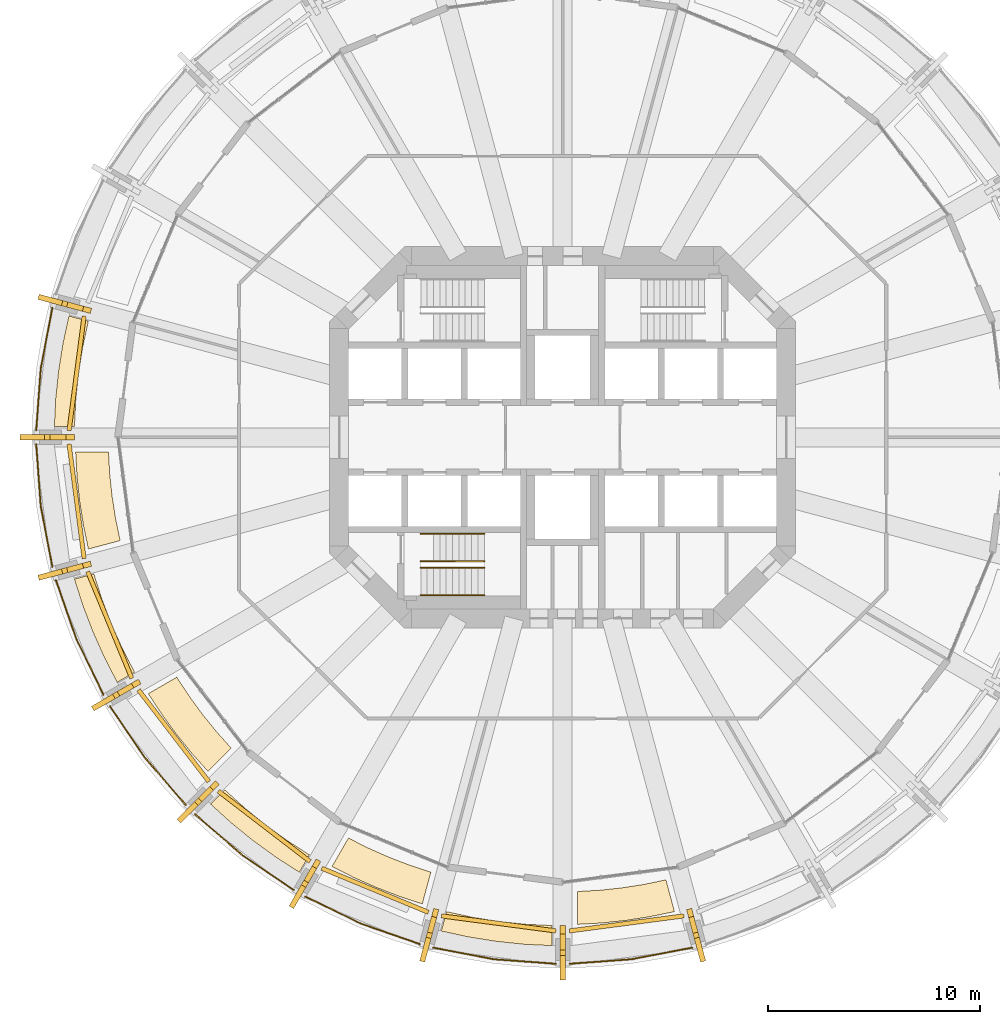
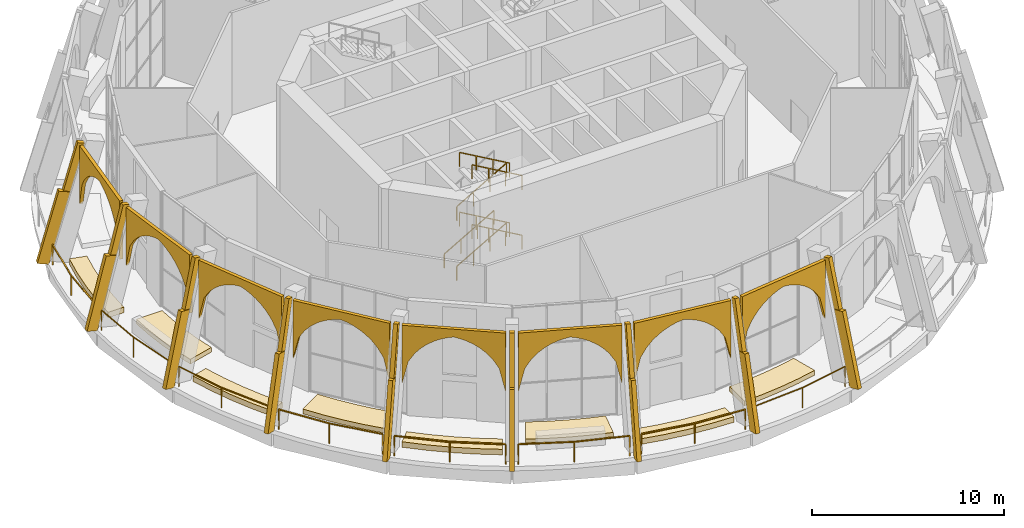
# One storey, part 16 of 18: 34 coverings, 15 railings.
"""IFC4 building model written with IfcOpenShell, lengths in metres."""

import ifcopenshell
import ifcopenshell.guid

model = None  # the IFC model being written
_history = None  # IfcOwnerHistory: only IFC2X3 demands one
_inside = {}  # id of a spatial element -> (the spatial element, [elements in it])
_under = {}  # id of a project, library or spatial element -> (it, [spatial elements below it])
_declared = {}  # id of a project -> (the project, [libraries it declares])
_typed = {}  # id of a type object -> (the type object, [elements of that type])
_made_of = {}  # id of a material, layer set ... -> (it, [elements and type objects made of it])


def new_model(schema):
    """Start an empty IFC model of exactly this schema.

    Asked for "IFC4X3", IfcOpenShell would pick the latest addendum, in which some entities
    have other attributes; the version numbers below select the first issue.
    IFC2X3 requires an IfcOwnerHistory on every rooted entity: one is made here for all.
    """
    global model, _history
    if schema == "IFC4X3":
        model = ifcopenshell.file(schema_version=(4, 3, 0, 0))
    else:
        model = ifcopenshell.file(schema=schema)
    _inside.clear()
    _under.clear()
    _declared.clear()
    _typed.clear()
    _made_of.clear()
    _history = None
    if model.schema == "IFC2X3":
        org = make("IfcOrganization", Name="unknown")
        user = make(
            "IfcPersonAndOrganization",
            ThePerson=make("IfcPerson", FamilyName="unknown"),
            TheOrganization=org,
        )
        app = make(
            "IfcApplication",
            ApplicationDeveloper=org,
            Version="unknown",
            ApplicationFullName="unknown",
            ApplicationIdentifier="unknown",
        )
        _history = make(
            "IfcOwnerHistory",
            OwningUser=user,
            OwningApplication=app,
            ChangeAction="ADDED",
            CreationDate=0,
        )
    return model


def make(cls, **values):
    """One entity of the class cls with the attributes given. An attribute that is None is left unset."""
    return model.create_entity(
        cls, **{name: value for name, value in values.items() if value is not None}
    )


def rooted(cls, **values):
    """An entity with a GlobalId (a new one), such as an element, a storey or a relation."""
    return make(cls, GlobalId=ifcopenshell.guid.new(), OwnerHistory=_history, **values)


def si_unit(unit_type, name, prefix=None):
    """IfcSIUnit, for example si_unit("LENGTHUNIT", "METRE", prefix="MILLI")."""
    return make("IfcSIUnit", UnitType=unit_type, Prefix=prefix, Name=name)


def assignment(units):
    """IfcUnitAssignment: the units of a project."""
    return None if units is None else make("IfcUnitAssignment", Units=units)


def point(xyz):
    """IfcCartesianPoint."""
    return None if xyz is None else make("IfcCartesianPoint", Coordinates=xyz)


def direction(xyz):
    """IfcDirection."""
    return None if xyz is None else make("IfcDirection", DirectionRatios=xyz)


def frame(location, z_axis=None, x_axis=None):
    """IfcAxis2Placement3D, a coordinate frame: its origin and axes. An axis left out is left unset."""
    return make(
        "IfcAxis2Placement3D",
        Location=point(location),
        Axis=direction(z_axis),
        RefDirection=direction(x_axis),
    )


def frame_2d(location, x_axis=None):
    """IfcAxis2Placement2D, a coordinate frame in the plane: its origin and x axis."""
    return make(
        "IfcAxis2Placement2D", Location=point(location), RefDirection=direction(x_axis)
    )


def origin():
    """The frame at (0, 0, 0) with its axes left unset."""
    return frame((0.0, 0.0, 0.0))


def origin_2d():
    """The frame at (0, 0) in the plane with its x axis left unset."""
    return frame_2d((0.0, 0.0))


def place(relative_to, where):
    """IfcLocalPlacement: puts the frame where relative to a parent placement (None: the world)."""
    return make(
        "IfcLocalPlacement", PlacementRelTo=relative_to, RelativePlacement=where
    )


def context(
    kind, dimensions, precision=None, world=None, true_north=None, identifier=None
):
    """IfcGeometricRepresentationContext, for example the 3D "Model" context."""
    return make(
        "IfcGeometricRepresentationContext",
        ContextIdentifier=identifier,
        ContextType=kind,
        CoordinateSpaceDimension=dimensions,
        Precision=precision,
        WorldCoordinateSystem=world,
        TrueNorth=true_north,
    )


def subcontext(parent, identifier, kind, view, scale=None):
    """IfcGeometricRepresentationSubContext, for example "Body" below "Model"."""
    return make(
        "IfcGeometricRepresentationSubContext",
        ContextIdentifier=identifier,
        ContextType=kind,
        ParentContext=parent,
        TargetScale=scale,
        TargetView=view,
    )


def project(units=None, contexts=None):
    """IfcProject with its units and contexts."""
    return rooted(
        "IfcProject",
        Name="project",
        RepresentationContexts=contexts,
        UnitsInContext=assignment(units),
    )


def spatial(cls, under=None, at=None, **own):
    """A site, building, storey or space (cls), placed at a placement, below another one or the project."""
    s = rooted(cls, ObjectPlacement=at, **own)
    if under is not None:
        _under.setdefault(under.id(), (under, []))[1].append(s)
    return s


def polyline(points):
    """IfcPolyline through the points."""
    return make("IfcPolyline", Points=[point(p) for p in points])


def profile(cls, at=None, kind="AREA", **sizes):
    """A parametric profile (cls). Its sizes go by their IFC names, for example OverallWidth=200.0."""
    return make(cls, ProfileType=kind, Position=at, **sizes)


def rectangle(**sizes):
    """IfcRectangleProfileDef."""
    return profile("IfcRectangleProfileDef", **sizes)


def outline(outer, holes=None, kind="AREA"):
    """IfcArbitraryClosedProfileDef: a profile drawn as a closed curve; with holes, ...WithVoids."""
    if holes is None:
        return make("IfcArbitraryClosedProfileDef", ProfileType=kind, OuterCurve=outer)
    return make(
        "IfcArbitraryProfileDefWithVoids",
        ProfileType=kind,
        OuterCurve=outer,
        InnerCurves=holes,
    )


def extrude(swept, where, along, depth):
    """IfcExtrudedAreaSolid: the profile swept, set in the frame where, extruded along a direction by depth."""
    return make(
        "IfcExtrudedAreaSolid",
        SweptArea=swept,
        Position=where,
        ExtrudedDirection=direction(along),
        Depth=depth,
    )


def shape(context_of_items, identifier, shape_type, items):
    """IfcShapeRepresentation: the items that make up one representation, for example the "Body"."""
    return make(
        "IfcShapeRepresentation",
        ContextOfItems=context_of_items,
        RepresentationIdentifier=identifier,
        RepresentationType=shape_type,
        Items=items,
    )


def material(Name=None, Category=None):
    """IfcMaterial."""
    return make("IfcMaterial", Name=Name, Category=Category)


def layer(
    of_material, thickness, ventilated=None, Name=None, Category=None, Priority=None
):
    """IfcMaterialLayer: one layer of a wall or slab, of a material (None: an air gap)."""
    return make(
        "IfcMaterialLayer",
        Material=of_material,
        LayerThickness=thickness,
        IsVentilated=ventilated,
        Name=Name,
        Category=Category,
        Priority=Priority,
    )


def layer_set(layers, Name=None):
    """IfcMaterialLayerSet."""
    return make("IfcMaterialLayerSet", MaterialLayers=layers, LayerSetName=Name)


def material_profile(
    of_material, cross_section, Name=None, Category=None, Priority=None
):
    """IfcMaterialProfile: a cross section and its material."""
    return make(
        "IfcMaterialProfile",
        Name=Name,
        Material=of_material,
        Profile=cross_section,
        Priority=Priority,
        Category=Category,
    )


def profile_set(profiles, Name=None, composite=None):
    """IfcMaterialProfileSet."""
    return make(
        "IfcMaterialProfileSet",
        Name=Name,
        MaterialProfiles=profiles,
        CompositeProfile=composite,
    )


def made_of(thing, what):
    """Note that an element or type object is made of a material, layer set ...; save() writes the relation."""
    if what is not None:
        _made_of.setdefault(what.id(), (what, []))[1].append(thing)
    return thing


def type_object(cls, material=None, **own):
    """A type object (cls), such as IfcWallType, which elements share."""
    return made_of(rooted(cls, **own), material)


def element(
    cls,
    number,
    at=None,
    inside=None,
    cuts=None,
    type_object=None,
    material=None,
    context=None,
    identifier="Body",
    shape_type=None,
    held_by="IfcProductDefinitionShape",
    body=None,
    shapes=None,
    **own,
):
    """One element of the class cls, such as IfcWall. Its Tag is "e" and its number.

    at: its placement. inside: the storey or other place that contains it. cuts: it is an
    opening in that element (IfcRelVoidsElement). A single representation is given by context,
    identifier, shape_type and body (its items); several are given by shapes. held_by: the class
    of the entity that holds the representations. save() writes the other relations.
    """
    e = rooted(cls, Tag="e%d" % number, ObjectPlacement=at, **own)
    if body is not None:
        shapes = [shape(context, identifier, shape_type, body)]
    if shapes is not None:
        e.Representation = make(held_by, Representations=shapes)
    if inside is not None:
        _inside.setdefault(inside.id(), (inside, []))[1].append(e)
    if cuts is not None:
        rooted(
            "IfcRelVoidsElement", RelatingBuildingElement=cuts, RelatedOpeningElement=e
        )
    if type_object is not None:
        _typed.setdefault(type_object.id(), (type_object, []))[1].append(e)
    return made_of(e, material)


def aggregate(whole, parts):
    """IfcRelAggregates: a whole, such as a stair, and the parts it consists of."""
    return rooted("IfcRelAggregates", RelatingObject=whole, RelatedObjects=parts)


def save(model, path):
    """Write the relations noted so far, then the file.

    IfcRelAggregates (storeys below a building ...), IfcRelContainedInSpatialStructure (elements
    in a storey), IfcRelDefinesByType, IfcRelAssociatesMaterial and IfcRelDeclares: one each for
    every whole, place, type object, material and project.
    """
    for whole, parts in _under.values():
        aggregate(whole, parts)
    for where, things in _inside.values():
        rooted(
            "IfcRelContainedInSpatialStructure",
            RelatedElements=things,
            RelatingStructure=where,
        )
    for kind, things in _typed.values():
        rooted("IfcRelDefinesByType", RelatedObjects=things, RelatingType=kind)
    for what, things in _made_of.values():
        rooted("IfcRelAssociatesMaterial", RelatedObjects=things, RelatingMaterial=what)
    for by, libraries in _declared.values():
        rooted("IfcRelDeclares", RelatingContext=by, RelatedDefinitions=libraries)
    model.write(path)


model = new_model("IFC4")

# Units and contexts
model_context = context("Model", 3, precision=1e-05, world=origin(), true_north=direction((0.0, 1.0)))
body_context = subcontext(model_context, "Body", "Model", "MODEL_VIEW")
ifc_project = project(units=[si_unit("LENGTHUNIT", "METRE"), si_unit("AREAUNIT", "SQUARE_METRE"), si_unit("VOLUMEUNIT", "CUBIC_METRE"), si_unit("PLANEANGLEUNIT", "RADIAN"), si_unit("MASSUNIT", "GRAM", prefix="KILO")], contexts=[model_context])

# Site, building, storey
site_placement = place(None, origin())
site = spatial("IfcSite", under=ifc_project, at=site_placement, CompositionType="ELEMENT")
building_placement = place(site_placement, origin())
building = spatial("IfcBuilding", under=site, at=building_placement, Name="Torre Triforio", CompositionType="ELEMENT")
storey_placement = place(building_placement, frame((0.0, 0.0, 146.60009765625)))
storey = spatial("IfcBuildingStorey", under=building, at=storey_placement, Name="L33", CompositionType="ELEMENT", Elevation=146.60009765625)

# Railings
ifc_material_1 = material(Name="Stainless steel AISI 316", Category="steel")
railing_type_1 = type_object("IfcRailingType", Name="HANDRAIL 920", PredefinedType="HANDRAIL", material=ifc_material_1)
for number, where, name in (
    (1, (-6.699951171875, -4.550048828125, 0.172607421875), "Handrail ST3"),
    (2, (-6.699951171875, -5.85009765625, 0.172607421875), "Handrail ST3"),
):
    element("IfcRailing", number, at=place(storey_placement, frame(where)), inside=storey, type_object=railing_type_1, Name=name, PredefinedType="HANDRAIL", context=body_context, shape_type="SweptSolid", body=[
        extrude(rectangle(XDim=0.048095703125, YDim=0.048095703125, at=origin_2d()), frame((0.0, 0.0, 0.89599609375), z_axis=(0.866619684472, 0.0, 0.498969260062), x_axis=(0.0, 1.0, 0.0)), (0.0, 0.0, 1.0), 3.461669921875),
        extrude(rectangle(XDim=0.0419921875, YDim=0.0419921875, at=origin_2d()), origin(), (0.0, 0.0, 1.0), 0.871826171875),
        extrude(rectangle(XDim=0.0419921875, YDim=0.0419921875, at=origin_2d()), frame((1.0, 0.0, 0.57568359375)), (0.0, 0.0, 1.0), 0.871826171875),
        extrude(rectangle(XDim=0.0419921875, YDim=0.0419921875, at=origin_2d()), frame((2.0, 0.0, 1.151611328125)), (0.0, 0.0, 1.0), 0.871826171875),
        extrude(rectangle(XDim=0.0419921875, YDim=0.0419921875, at=origin_2d()), frame((3.0, 0.0, 1.727294921875)), (0.0, 0.0, 1.0), 0.871826171875),
    ])
for number, where, name in (
    (3, (-3.699951171875, -7.449951171875, 2.072509765625), "Handrail ST3"),
    (4, (-3.699951171875, -6.14990234375, 2.072509765625), "Handrail ST3"),
):
    element("IfcRailing", number, at=place(storey_placement, frame(where)), inside=storey, type_object=railing_type_1, Name=name, PredefinedType="HANDRAIL", context=body_context, shape_type="SweptSolid", body=[
        extrude(rectangle(XDim=0.048095703125, YDim=0.048095703125, at=origin_2d()), frame((0.0, 0.0, 0.89599609375), z_axis=(-0.866619684472, 0.0, 0.498969260062), x_axis=(0.0, -1.0, 0.0)), (0.0, 0.0, 1.0), 3.461669921875),
        extrude(rectangle(XDim=0.0419921875, YDim=0.0419921875, at=origin_2d()), origin(), (0.0, 0.0, 1.0), 0.871826171875),
        extrude(rectangle(XDim=0.0419921875, YDim=0.0419921875, at=origin_2d()), frame((-1.0, 0.0, 0.57568359375)), (0.0, 0.0, 1.0), 0.871826171875),
        extrude(rectangle(XDim=0.0419921875, YDim=0.0419921875, at=origin_2d()), frame((-2.0, 0.0, 1.151611328125)), (0.0, 0.0, 1.0), 0.871826171875),
        extrude(rectangle(XDim=0.0419921875, YDim=0.0419921875, at=origin_2d()), frame((-3.0, 0.0, 1.727294921875)), (0.0, 0.0, 1.0), 0.871826171875),
    ])
railing_1_placement = place(storey_placement, frame((-6.699951171875, -5.85009765625, 3.97265625)))
element("IfcRailing", 5, at=railing_1_placement, inside=storey, type_object=railing_type_1, Name="Handrail ST3", PredefinedType="HANDRAIL", context=body_context, shape_type="SweptSolid", body=[
    extrude(rectangle(XDim=0.048095703125, YDim=0.048095703125, at=origin_2d()), frame((0.0, 0.0, 0.89599609375), z_axis=(0.866619684472, 0.0, 0.498969260062), x_axis=(0.0, 1.0, 0.0)), (0.0, 0.0, 1.0), 3.461669921875),
    extrude(rectangle(XDim=0.0419921875, YDim=0.0419921875, at=origin_2d()), origin(), (0.0, 0.0, 1.0), 0.871826171875),
    extrude(rectangle(XDim=0.0419921875, YDim=0.0419921875, at=origin_2d()), frame((1.0, 0.0, 0.57568359375)), (0.0, 0.0, 1.0), 0.871826171875),
    extrude(rectangle(XDim=0.0419921875, YDim=0.0419921875, at=origin_2d()), frame((2.0, 0.0, 1.151611328125)), (0.0, 0.0, 1.0), 0.871826171875),
    extrude(rectangle(XDim=0.0419921875, YDim=0.0419921875, at=origin_2d()), frame((3.0, 0.0, 1.727294921875)), (0.0, 0.0, 1.0), 0.871826171875),
])
for number, where, name in (
    (6, (-3.699951171875, -7.449951171875, 5.87255859375), "Handrail ST3"),
    (7, (-3.699951171875, -6.14990234375, 5.87255859375), "Handrail ST3"),
):
    element("IfcRailing", number, at=place(storey_placement, frame(where)), inside=storey, type_object=railing_type_1, Name=name, PredefinedType="HANDRAIL", context=body_context, shape_type="SweptSolid", body=[
        extrude(rectangle(XDim=0.048095703125, YDim=0.048095703125, at=origin_2d()), frame((0.0, 0.0, 0.89599609375), z_axis=(-0.866619684472, 0.0, 0.498969260062), x_axis=(0.0, -1.0, 0.0)), (0.0, 0.0, 1.0), 3.461669921875),
        extrude(rectangle(XDim=0.0419921875, YDim=0.0419921875, at=origin_2d()), origin(), (0.0, 0.0, 1.0), 0.871826171875),
        extrude(rectangle(XDim=0.0419921875, YDim=0.0419921875, at=origin_2d()), frame((-1.0, 0.0, 0.57568359375)), (0.0, 0.0, 1.0), 0.871826171875),
        extrude(rectangle(XDim=0.0419921875, YDim=0.0419921875, at=origin_2d()), frame((-2.0, 0.0, 1.151611328125)), (0.0, 0.0, 1.0), 0.871826171875),
        extrude(rectangle(XDim=0.0419921875, YDim=0.0419921875, at=origin_2d()), frame((-3.0, 0.0, 1.727294921875)), (0.0, 0.0, 1.0), 0.871826171875),
    ])

# Coverings
ifc_material_2 = material(Name="Limestone arch panel", Category="masonry")
ifc_layer_1 = layer(ifc_material_2, 0.199951171875)
ifc_layer_set_1 = layer_set([ifc_layer_1], Name="Limestone arch panel")
covering_type_1 = type_object("IfcCoveringType", Name="Lancet arch cladding panel 200", PredefinedType="CLADDING", material=ifc_layer_set_1)
for number, where, z_axis, x_axis, name in (
    (8, (-22.84521484375, 3.007568359375, 0.0), (-0.991450144272, 0.130486058348, 0.0), (-0.130486058348, -0.991450144272, 0.0), "Lancet arch panel L33 bay 12"),
    (9, (-22.84521484375, -3.007568359375, 0.0), (-0.991450144272, -0.130486058348, 0.0), (0.130486058348, -0.991450144272, 0.0), "Lancet arch panel L33 bay 13"),
):
    element("IfcCovering", number, at=place(storey_placement, frame(where, z_axis=z_axis, x_axis=x_axis)), inside=storey, type_object=covering_type_1, Name=name, PredefinedType="CLADDING", context=body_context, shape_type="SweptSolid", body=[
        extrude(outline(polyline([(-2.72412109375, 7.320068359375), (-2.72412109375, 3.605712890625), (-2.383544921875, 5.055908203125), (-2.04296875, 5.59912109375), (-1.702392578125, 5.97509765625), (-1.362060546875, 6.25537109375), (-1.021484375, 6.468505859375), (-0.680908203125, 6.62890625), (-0.340576171875, 6.744384765625), (0.0, 6.820068359375), (0.340576171875, 6.744384765625), (0.680908203125, 6.62890625), (1.021484375, 6.468505859375), (1.362060546875, 6.25537109375), (1.702392578125, 5.97509765625), (2.04296875, 5.59912109375), (2.383544921875, 5.055908203125), (2.72412109375, 3.605712890625), (2.72412109375, 7.320068359375), (-2.72412109375, 7.320068359375)])), origin(), (0.0, 0.0, 1.0), 0.2001953125),
    ])
for number, where, z_axis, x_axis, name in (
    (10, (-21.288330078125, -8.818115234375, 0.0), (-0.924120904221, -0.382100188932, 0.0), (0.382100188932, -0.924120904221, 0.0), "Lancet arch panel L33 bay 14"),
    (11, (-18.28076171875, -14.02734375, 0.0), (-0.793213368033, -0.608943800998, 0.0), (0.608943800998, -0.793213368033, 0.0), "Lancet arch panel L33 bay 15"),
    (12, (-14.02734375, -18.28076171875, 0.0), (-0.608943800998, -0.793213368033, 0.0), (0.793213368033, -0.608943800998, 0.0), "Lancet arch panel L33 bay 16"),
    (13, (-8.818115234375, -21.288330078125, 0.0), (-0.382100188932, -0.924120904221, 0.0), (0.924120904221, -0.382100188932, 0.0), "Lancet arch panel L33 bay 17"),
):
    element("IfcCovering", number, at=place(storey_placement, frame(where, z_axis=z_axis, x_axis=x_axis)), inside=storey, type_object=covering_type_1, Name=name, PredefinedType="CLADDING", context=body_context, shape_type="SweptSolid", body=[
        extrude(outline(polyline([(-2.72412109375, 7.320068359375), (-2.72412109375, 3.605712890625), (-2.383544921875, 5.055908203125), (-2.04296875, 5.59912109375), (-1.702392578125, 5.97509765625), (-1.362060546875, 6.25537109375), (-1.021484375, 6.468505859375), (-0.680908203125, 6.62890625), (-0.340576171875, 6.744384765625), (0.0, 6.820068359375), (0.340576171875, 6.744384765625), (0.680908203125, 6.62890625), (1.021484375, 6.468505859375), (1.362060546875, 6.25537109375), (1.702392578125, 5.97509765625), (2.04296875, 5.59912109375), (2.383544921875, 5.055908203125), (2.72412109375, 3.605712890625), (2.72412109375, 7.320068359375), (-2.72412109375, 7.320068359375)])), origin(), (0.0, 0.0, 1.0), 0.199951171875),
    ])
for number, where, z_axis, x_axis, name in (
    (14, (-3.007568359375, -22.84521484375, 0.0), (-0.130486058348, -0.991450144272, 0.0), (0.991450144272, -0.130486058348, 0.0), "Lancet arch panel L33 bay 18"),
    (15, (3.007568359375, -22.84521484375, 0.0), (0.130486058348, -0.991450144272, 0.0), (0.991450144272, 0.130486058348, 0.0), "Lancet arch panel L33 bay 19"),
):
    element("IfcCovering", number, at=place(storey_placement, frame(where, z_axis=z_axis, x_axis=x_axis)), inside=storey, type_object=covering_type_1, Name=name, PredefinedType="CLADDING", context=body_context, shape_type="SweptSolid", body=[
        extrude(outline(polyline([(-2.72412109375, 7.320068359375), (-2.72412109375, 3.605712890625), (-2.383544921875, 5.055908203125), (-2.04296875, 5.59912109375), (-1.702392578125, 5.97509765625), (-1.362060546875, 6.25537109375), (-1.021484375, 6.468505859375), (-0.680908203125, 6.62890625), (-0.340576171875, 6.744384765625), (0.0, 6.820068359375), (0.340576171875, 6.744384765625), (0.680908203125, 6.62890625), (1.021484375, 6.468505859375), (1.362060546875, 6.25537109375), (1.702392578125, 5.97509765625), (2.04296875, 5.59912109375), (2.383544921875, 5.055908203125), (2.72412109375, 3.605712890625), (2.72412109375, 7.320068359375), (-2.72412109375, 7.320068359375)])), origin(), (0.0, 0.0, 1.0), 0.2001953125),
    ])

# Railings
railing_type_2 = type_object("IfcRailingType", Name="Loggia guard 1300", PredefinedType="GUARDRAIL", material=ifc_material_1)
railing_2_placement = place(storey_placement, frame((-24.086181640625, 6.12255859375, 0.0)))
element("IfcRailing", 16, at=railing_2_placement, inside=storey, type_object=railing_type_2, Name="Loggia guard L33 bay 12", PredefinedType="GUARDRAIL", context=body_context, shape_type="SweptSolid", body=[
    extrude(rectangle(XDim=0.050048828125, YDim=0.050048828125, at=origin_2d()), frame((0.0, 0.0, 1.27490234375), z_axis=(-0.188068851895, -0.982155846568, 0.0), x_axis=(0.982155846568, -0.188068851895, 0.0)), (0.0, 0.0, 1.0), 2.93115234375),
    extrude(rectangle(XDim=0.050048828125, YDim=0.050048828125, at=origin_2d()), frame((-0.55126953125, -2.87890625, 1.27490234375), z_axis=(-0.072543227511, -0.997365269168, 0.0), x_axis=(0.997365269168, -0.072543227511, 0.0)), (0.0, 0.0, 1.0), 2.931396484375),
    extrude(rectangle(XDim=0.0400390625, YDim=0.0400390625, at=origin_2d()), origin(), (0.0, 0.0, 1.0), 1.25),
    extrude(rectangle(XDim=0.0400390625, YDim=0.0400390625, at=origin_2d()), frame((-0.55126953125, -2.87890625, 0.0)), (0.0, 0.0, 1.0), 1.25),
    extrude(rectangle(XDim=0.0400390625, YDim=0.0400390625, at=origin_2d()), frame((-0.763916015625, -5.802490234375, 0.0)), (0.0, 0.0, 1.0), 1.25),
])
railing_3_placement = place(storey_placement, frame((-24.85009765625, -0.320068359375, 0.0)))
element("IfcRailing", 17, at=railing_3_placement, inside=storey, type_object=railing_type_2, Name="Loggia guard L33 bay 13", PredefinedType="GUARDRAIL", context=body_context, shape_type="SweptSolid", body=[
    extrude(rectangle(XDim=0.050048828125, YDim=0.050048828125, at=origin_2d()), frame((0.0, 0.0, 1.27490234375), z_axis=(0.072543227511, -0.997365269168, 0.0), x_axis=(0.997365269168, 0.072543227511, 0.0)), (0.0, 0.0, 1.0), 2.931396484375),
    extrude(rectangle(XDim=0.050048828125, YDim=0.050048828125, at=origin_2d()), frame((0.212646484375, -2.923583984375, 1.27490234375), z_axis=(0.188068851895, -0.982155846568, 0.0), x_axis=(0.982155846568, 0.188068851895, 0.0)), (0.0, 0.0, 1.0), 2.93115234375),
    extrude(rectangle(XDim=0.0400390625, YDim=0.0400390625, at=origin_2d()), origin(), (0.0, 0.0, 1.0), 1.25),
    extrude(rectangle(XDim=0.0400390625, YDim=0.0400390625, at=origin_2d()), frame((0.212646484375, -2.923583984375, 0.0)), (0.0, 0.0, 1.0), 1.25),
    extrude(rectangle(XDim=0.0400390625, YDim=0.0400390625, at=origin_2d()), frame((0.763916015625, -5.802490234375, 0.0)), (0.0, 0.0, 1.0), 1.25),
])
railing_4_placement = place(storey_placement, frame((-23.92041015625, -6.74072265625, 0.0)))
element("IfcRailing", 18, at=railing_4_placement, inside=storey, type_object=railing_type_2, Name="Loggia guard L33 bay 14", PredefinedType="GUARDRAIL", context=body_context, shape_type="SweptSolid", body=[
    extrude(rectangle(XDim=0.050048828125, YDim=0.050048828125, at=origin_2d()), frame((0.0, 0.0, 1.27490234375), z_axis=(0.328145883403, -0.944627058264, 0.0), x_axis=(0.944627058264, 0.328145883403, 0.0)), (0.0, 0.0, 1.0), 2.931396484375),
    extrude(rectangle(XDim=0.050048828125, YDim=0.050048828125, at=origin_2d()), frame((0.9619140625, -2.76904296875, 1.27490234375), z_axis=(0.435917913275, -0.899986429279, 0.0), x_axis=(0.899986429279, 0.435917913275, 0.0)), (0.0, 0.0, 1.0), 2.931396484375),
    extrude(rectangle(XDim=0.0400390625, YDim=0.0400390625, at=origin_2d()), origin(), (0.0, 0.0, 1.0), 1.25),
    extrude(rectangle(XDim=0.0400390625, YDim=0.0400390625, at=origin_2d()), frame((0.9619140625, -2.76904296875, 0.0)), (0.0, 0.0, 1.0), 1.25),
    extrude(rectangle(XDim=0.0400390625, YDim=0.0400390625, at=origin_2d()), frame((2.23974609375, -5.4072265625, 0.0)), (0.0, 0.0, 1.0), 1.25),
])
railing_5_placement = place(storey_placement, frame((-21.360595703125, -12.7021484375, 0.0)))
element("IfcRailing", 19, at=railing_5_placement, inside=storey, type_object=railing_type_2, Name="Loggia guard L33 bay 15", PredefinedType="GUARDRAIL", context=body_context, shape_type="SweptSolid", body=[
    extrude(rectangle(XDim=0.050048828125, YDim=0.050048828125, at=origin_2d()), frame((0.0, 0.0, 1.27490234375), z_axis=(0.561466791934, -0.827499269821, 0.0), x_axis=(0.827499269821, 0.561466791934, 0.0)), (0.0, 0.0, 1.0), 2.93115234375),
    extrude(rectangle(XDim=0.050048828125, YDim=0.050048828125, at=origin_2d()), frame((1.645751953125, -2.425537109375, 1.27490234375), z_axis=(0.653981928353, -0.756510170049, 0.0), x_axis=(0.756510170049, 0.653981928353, 0.0)), (0.0, 0.0, 1.0), 2.93115234375),
    extrude(rectangle(XDim=0.0400390625, YDim=0.0400390625, at=origin_2d()), origin(), (0.0, 0.0, 1.0), 1.25),
    extrude(rectangle(XDim=0.0400390625, YDim=0.0400390625, at=origin_2d()), frame((1.645751953125, -2.425537109375, 0.0)), (0.0, 0.0, 1.0), 1.25),
    extrude(rectangle(XDim=0.0400390625, YDim=0.0400390625, at=origin_2d()), frame((3.562744140625, -4.64306640625, 0.0)), (0.0, 0.0, 1.0), 1.25),
])
railing_6_placement = place(storey_placement, frame((-17.34521484375, -17.7978515625, 0.0)))
element("IfcRailing", 20, at=railing_6_placement, inside=storey, type_object=railing_type_2, Name="Loggia guard L33 bay 16", PredefinedType="GUARDRAIL", context=body_context, shape_type="SweptSolid", body=[
    extrude(rectangle(XDim=0.050048828125, YDim=0.050048828125, at=origin_2d()), frame((0.0, 0.0, 1.27490234375), z_axis=(0.756510170049, -0.653981928353, 0.0), x_axis=(0.653981928353, 0.756510170049, 0.0)), (0.0, 0.0, 1.0), 2.93115234375),
    extrude(rectangle(XDim=0.050048828125, YDim=0.050048828125, at=origin_2d()), frame((2.217529296875, -1.9169921875, 1.27490234375), z_axis=(0.827499269821, -0.561466791934, 0.0), x_axis=(0.561466791934, 0.827499269821, 0.0)), (0.0, 0.0, 1.0), 2.93115234375),
    extrude(rectangle(XDim=0.0400390625, YDim=0.0400390625, at=origin_2d()), origin(), (0.0, 0.0, 1.0), 1.25),
    extrude(rectangle(XDim=0.0400390625, YDim=0.0400390625, at=origin_2d()), frame((2.217529296875, -1.9169921875, 0.0)), (0.0, 0.0, 1.0), 1.25),
    extrude(rectangle(XDim=0.0400390625, YDim=0.0400390625, at=origin_2d()), frame((4.64306640625, -3.562744140625, 0.0)), (0.0, 0.0, 1.0), 1.25),
])
railing_7_placement = place(storey_placement, frame((-12.14794921875, -21.6806640625, 0.0)))
element("IfcRailing", 21, at=railing_7_placement, inside=storey, type_object=railing_type_2, Name="Loggia guard L33 bay 17", PredefinedType="GUARDRAIL", context=body_context, shape_type="SweptSolid", body=[
    extrude(rectangle(XDim=0.050048828125, YDim=0.050048828125, at=origin_2d()), frame((0.0, 0.0, 1.27490234375), z_axis=(0.899986429279, -0.435917913275, 0.0), x_axis=(0.435917913275, 0.899986429279, 0.0)), (0.0, 0.0, 1.0), 2.931396484375),
    extrude(rectangle(XDim=0.050048828125, YDim=0.050048828125, at=origin_2d()), frame((2.63818359375, -1.27783203125, 1.27490234375), z_axis=(0.944627058264, -0.328145883403, 0.0), x_axis=(0.328145883403, 0.944627058264, 0.0)), (0.0, 0.0, 1.0), 2.931396484375),
    extrude(rectangle(XDim=0.0400390625, YDim=0.0400390625, at=origin_2d()), origin(), (0.0, 0.0, 1.0), 1.25),
    extrude(rectangle(XDim=0.0400390625, YDim=0.0400390625, at=origin_2d()), frame((2.63818359375, -1.27783203125, 0.0)), (0.0, 0.0, 1.0), 1.25),
    extrude(rectangle(XDim=0.0400390625, YDim=0.0400390625, at=origin_2d()), frame((5.4072265625, -2.23974609375, 0.0)), (0.0, 0.0, 1.0), 1.25),
])
railing_8_placement = place(storey_placement, frame((-6.12255859375, -24.086181640625, 0.0)))
element("IfcRailing", 22, at=railing_8_placement, inside=storey, type_object=railing_type_2, Name="Loggia guard L33 bay 18", PredefinedType="GUARDRAIL", context=body_context, shape_type="SweptSolid", body=[
    extrude(rectangle(XDim=0.050048828125, YDim=0.050048828125, at=origin_2d()), frame((0.0, 0.0, 1.27490234375), z_axis=(0.982155846568, -0.188068851895, 0.0), x_axis=(0.188068851895, 0.982155846568, 0.0)), (0.0, 0.0, 1.0), 2.93115234375),
    extrude(rectangle(XDim=0.050048828125, YDim=0.050048828125, at=origin_2d()), frame((2.87890625, -0.55126953125, 1.27490234375), z_axis=(0.997365269168, -0.072543227511, 0.0), x_axis=(0.072543227511, 0.997365269168, 0.0)), (0.0, 0.0, 1.0), 2.931396484375),
    extrude(rectangle(XDim=0.0400390625, YDim=0.0400390625, at=origin_2d()), origin(), (0.0, 0.0, 1.0), 1.25),
    extrude(rectangle(XDim=0.0400390625, YDim=0.0400390625, at=origin_2d()), frame((2.87890625, -0.55126953125, 0.0)), (0.0, 0.0, 1.0), 1.25),
    extrude(rectangle(XDim=0.0400390625, YDim=0.0400390625, at=origin_2d()), frame((5.802490234375, -0.763916015625, 0.0)), (0.0, 0.0, 1.0), 1.25),
])
railing_9_placement = place(storey_placement, frame((0.320068359375, -24.85009765625, 0.0)))
element("IfcRailing", 23, at=railing_9_placement, inside=storey, type_object=railing_type_2, Name="Loggia guard L33 bay 19", PredefinedType="GUARDRAIL", context=body_context, shape_type="SweptSolid", body=[
    extrude(rectangle(XDim=0.050048828125, YDim=0.050048828125, at=origin_2d()), frame((0.0, 0.0, 1.27490234375), z_axis=(0.997365269168, 0.072543227511, 0.0), x_axis=(-0.072543227511, 0.997365269168, 0.0)), (0.0, 0.0, 1.0), 2.931396484375),
    extrude(rectangle(XDim=0.050048828125, YDim=0.050048828125, at=origin_2d()), frame((2.923583984375, 0.212646484375, 1.27490234375), z_axis=(0.982155846568, 0.188068851895, 0.0), x_axis=(-0.188068851895, 0.982155846568, 0.0)), (0.0, 0.0, 1.0), 2.93115234375),
    extrude(rectangle(XDim=0.0400390625, YDim=0.0400390625, at=origin_2d()), origin(), (0.0, 0.0, 1.0), 1.25),
    extrude(rectangle(XDim=0.0400390625, YDim=0.0400390625, at=origin_2d()), frame((2.923583984375, 0.212646484375, 0.0)), (0.0, 0.0, 1.0), 1.25),
    extrude(rectangle(XDim=0.0400390625, YDim=0.0400390625, at=origin_2d()), frame((5.802490234375, 0.763916015625, 0.0)), (0.0, 0.0, 1.0), 1.25),
])

# Coverings
ifc_material_3 = material(Name="Planted topsoil bed")
ifc_layer_2 = layer(ifc_material_3, 0.300048828125)
ifc_layer_set_2 = layer_set([ifc_layer_2], Name="Planted topsoil bed")
covering_type_2 = type_object("IfcCoveringType", Name="Planted bed 300", PredefinedType="FLOORING", material=ifc_layer_set_2)
covering_1_placement = place(storey_placement, origin())
element("IfcCovering", 24, at=covering_1_placement, inside=storey, type_object=covering_type_2, Name="Sky garden L33 planted bed 13", PredefinedType="FLOORING", context=body_context, shape_type="SweptSolid", body=[
    extrude(outline(polyline([(-21.438720703125, -0.69970703125), (-21.37841796875, -1.751708984375), (-21.2666015625, -2.7998046875), (-21.103271484375, -3.841064453125), (-20.88916015625, -4.872802734375), (-22.38720703125, -5.274169921875), (-22.623779296875, -4.143310546875), (-22.80322265625, -3.002197265625), (-22.92529296875, -1.853271484375), (-22.989501953125, -0.69970703125), (-21.438720703125, -0.69970703125)])), origin(), (0.0, 0.0, 1.0), 0.2998046875),
])
covering_2_placement = place(storey_placement, origin())
element("IfcCovering", 25, at=covering_2_placement, inside=storey, type_object=covering_type_2, Name="Sky garden L33 planted bed 15", PredefinedType="FLOORING", context=body_context, shape_type="SweptSolid", body=[
    extrude(outline(polyline([(-18.216552734375, -11.3251953125), (-17.63818359375, -12.206298828125), (-17.017333984375, -13.057861328125), (-16.35546875, -13.8779296875), (-15.654052734375, -14.664794921875), (-16.750732421875, -15.76123046875), (-17.52099609375, -14.900146484375), (-18.2470703125, -14.00146484375), (-18.92724609375, -13.067626953125), (-19.5595703125, -12.1005859375), (-18.216552734375, -11.3251953125)])), origin(), (0.0, 0.0, 1.0), 0.2998046875),
])
covering_3_placement = place(storey_placement, origin())
element("IfcCovering", 26, at=covering_3_placement, inside=storey, type_object=covering_type_2, Name="Sky garden L33 planted bed 17", PredefinedType="FLOORING", context=body_context, shape_type="SweptSolid", body=[
    extrude(outline(polyline([(-10.11328125, -18.916259765625), (-9.172119140625, -19.39013671875), (-8.20849609375, -19.817138671875), (-7.225341796875, -20.196533203125), (-6.224609375, -20.527099609375), (-6.6259765625, -22.02490234375), (-7.7236328125, -21.664306640625), (-8.8017578125, -21.249267578125), (-9.857666015625, -20.780517578125), (-10.888671875, -20.25927734375), (-10.11328125, -18.916259765625)])), origin(), (0.0, 0.0, 1.0), 0.2998046875),
])
covering_4_placement = place(storey_placement, origin())
element("IfcCovering", 27, at=covering_4_placement, inside=storey, type_object=covering_type_2, Name="Sky garden L33 planted bed 19", PredefinedType="FLOORING", context=body_context, shape_type="SweptSolid", body=[
    extrude(outline(polyline([(0.69970703125, -21.438720703125), (1.751708984375, -21.37841796875), (2.7998046875, -21.2666015625), (3.841064453125, -21.103271484375), (4.872802734375, -20.88916015625), (5.274169921875, -22.38720703125), (4.143310546875, -22.623779296875), (3.002197265625, -22.80322265625), (1.853271484375, -22.92529296875), (0.69970703125, -22.989501953125), (0.69970703125, -21.438720703125)])), origin(), (0.0, 0.0, 1.0), 0.2998046875),
])
ifc_layer_3 = layer(ifc_material_3, 0.35009765625)
ifc_layer_set_3 = layer_set([ifc_layer_3], Name="Planted topsoil bed")
covering_type_3 = type_object("IfcCoveringType", Name="Planted terrace ledge 350", PredefinedType="FLOORING", material=ifc_layer_set_3)
covering_5_placement = place(storey_placement, origin())
element("IfcCovering", 28, at=covering_5_placement, inside=storey, type_object=covering_type_3, Name="Planted terrace ledge L33 bay 12", PredefinedType="FLOORING", context=body_context, shape_type="SweptSolid", body=[
    extrude(outline(polyline([(-22.388671875, 5.4814453125), (-22.654541015625, 4.25146484375), (-22.852783203125, 3.008544921875), (-22.98291015625, 1.7568359375), (-23.044677734375, 0.5), (-23.994873046875, 0.5), (-23.930908203125, 1.819091796875), (-23.794677734375, 3.132568359375), (-23.586181640625, 4.436767578125), (-23.306640625, 5.7275390625), (-22.388671875, 5.4814453125)])), origin(), (0.0, 0.0, 1.0), 0.349853515625),
])
covering_6_placement = place(storey_placement, origin())
element("IfcCovering", 29, at=covering_6_placement, inside=storey, type_object=covering_type_3, Name="Planted terrace ledge L33 bay 14", PredefinedType="FLOORING", context=body_context, shape_type="SweptSolid", body=[
    extrude(outline(polyline([(-22.1298828125, -6.447265625), (-21.7451171875, -7.6455078125), (-21.29541015625, -8.82080078125), (-20.7822265625, -9.969970703125), (-20.20703125, -11.08935546875), (-21.030029296875, -11.564453125), (-21.63427734375, -10.39013671875), (-22.173095703125, -9.184326171875), (-22.644775390625, -7.95068359375), (-23.0478515625, -6.693115234375), (-22.1298828125, -6.447265625)])), origin(), (0.0, 0.0, 1.0), 0.349853515625),
])
covering_7_placement = place(storey_placement, origin())
element("IfcCovering", 30, at=covering_7_placement, inside=storey, type_object=covering_type_3, Name="Planted terrace ledge L33 bay 16", PredefinedType="FLOORING", context=body_context, shape_type="SweptSolid", body=[
    extrude(outline(polyline([(-15.94140625, -16.6484375), (-15.009033203125, -17.49365234375), (-14.031982421875, -18.286865234375), (-13.012939453125, -19.025390625), (-11.955078125, -19.707275390625), (-12.430419921875, -20.5302734375), (-13.540771484375, -19.815185546875), (-14.6103515625, -19.04052734375), (-15.635498046875, -18.2080078125), (-16.61328125, -17.3203125), (-15.94140625, -16.6484375)])), origin(), (0.0, 0.0, 1.0), 0.349853515625),
])
covering_8_placement = place(storey_placement, origin())
element("IfcCovering", 31, at=covering_8_placement, inside=storey, type_object=covering_type_3, Name="Planted terrace ledge L33 bay 18", PredefinedType="FLOORING", context=body_context, shape_type="SweptSolid", body=[
    extrude(outline(polyline([(-5.4814453125, -22.388671875), (-4.25146484375, -22.654541015625), (-3.008544921875, -22.852783203125), (-1.7568359375, -22.98291015625), (-0.5, -23.044677734375), (-0.5, -23.994873046875), (-1.819091796875, -23.930908203125), (-3.132568359375, -23.794677734375), (-4.436767578125, -23.586181640625), (-5.7275390625, -23.306640625), (-5.4814453125, -22.388671875)])), origin(), (0.0, 0.0, 1.0), 0.349853515625),
])
ifc_material_4 = material(Name="Limestone fin", Category="masonry")
ifc_material_profile_1 = material_profile(ifc_material_4, rectangle(XDim=0.39990234375, YDim=0.25, at=origin_2d()), Name="FIN 400x250")
ifc_profile_set_1 = profile_set([ifc_material_profile_1], Name="Limestone fin")
covering_type_4 = type_object("IfcCoveringType", Name="Stone fin 400 x 250", PredefinedType="CLADDING", material=ifc_profile_set_1)
for number, where, z_axis, x_axis, name in (
    (32, (-23.197998046875, 6.2158203125, 4.391845703125), (0.245859670943, -0.065799111673, 0.967069542022), (-0.934192247905, 0.250016685566, 0.254512280437), "Stone fin C12 L33 upper"),
    (33, (-24.016357421875, 0.0, 4.391845703125), (0.254489330115, 0.0, 0.967075581771), (-0.967075581771, 0.0, 0.254489330115), "Stone fin C13 L33 upper"),
    (34, (-23.197998046875, -6.2158203125, 4.391845703125), (0.245859670943, 0.065799111673, 0.967069542022), (-0.934192247905, -0.250016685566, 0.254512280437), "Stone fin C14 L33 upper"),
    (35, (-20.798828125, -12.00830078125, 4.391845703125), (0.220378446807, 0.127324393527, 0.967068683701), (-0.837359844453, -0.483787484226, 0.254515541773), "Stone fin C15 L33 upper"),
    (36, (-16.982177734375, -16.982177734375, 4.391845703125), (0.179979109192, 0.179979109192, 0.967065168698), (-0.683818338636, -0.683818338636, 0.254528897163), "Stone fin C16 L33 upper"),
    (37, (-12.00830078125, -20.798828125, 4.391845703125), (0.127324393527, 0.220378446807, 0.967068683701), (-0.483787484226, -0.837359844453, 0.254515541773), "Stone fin C17 L33 upper"),
    (38, (-6.2158203125, -23.197998046875, 4.391845703125), (0.065799111673, 0.245859670943, 0.967069542022), (-0.250016685566, -0.934192247905, 0.254512280437), "Stone fin C18 L33 upper"),
    (39, (0.0, -24.016357421875, 4.391845703125), (0.0, 0.254489330115, 0.967075581771), (0.0, -0.967075581771, 0.254489330115), "Stone fin C19 L33 upper"),
    (40, (6.2158203125, -23.197998046875, 4.391845703125), (-0.065799111673, 0.245859670943, 0.967069542022), (0.250016685566, -0.934192247905, 0.254512280437), "Stone fin C20 L33 upper"),
):
    element("IfcCovering", number, at=place(storey_placement, frame(where, z_axis=z_axis, x_axis=x_axis)), inside=storey, type_object=covering_type_4, Name=name, PredefinedType="CLADDING", context=body_context, shape_type="SweptSolid", body=[
        extrude(rectangle(XDim=0.39990234375, YDim=0.25, at=origin_2d()), origin(), (0.0, 0.0, 1.0), 3.027587890625),
    ])
ifc_material_profile_2 = material_profile(ifc_material_4, rectangle(XDim=0.64990234375, YDim=0.25, at=origin_2d()), Name="FIN 650x250")
ifc_profile_set_2 = profile_set([ifc_material_profile_2], Name="Limestone fin")
covering_type_5 = type_object("IfcCoveringType", Name="Stone fin 650 x 250", PredefinedType="CLADDING", material=ifc_profile_set_2)
covering_9_placement = place(storey_placement, frame((-24.439208984375, 6.548583984375, 0.0), z_axis=(0.245788555581, -0.065909179602, 0.967080123873), x_axis=(-0.93407982853, 0.250477224361, 0.254472069215)))
element("IfcCovering", 41, at=covering_9_placement, inside=storey, type_object=covering_type_5, Name="Stone fin C12 L33", PredefinedType="CLADDING", context=body_context, shape_type="SweptSolid", body=[
    extrude(rectangle(XDim=0.64990234375, YDim=0.25, at=origin_2d()), origin(), (0.0, 0.0, 1.0), 4.541259765625),
])
covering_10_placement = place(storey_placement, frame((-25.301513671875, 0.0, 0.0), z_axis=(0.254546221717, 0.0, 0.967060608757), x_axis=(-0.967060608757, 0.0, 0.254546221717)))
element("IfcCovering", 42, at=covering_10_placement, inside=storey, type_object=covering_type_5, Name="Stone fin C13 L33", PredefinedType="CLADDING", context=body_context, shape_type="SweptSolid", body=[
    extrude(rectangle(XDim=0.64990234375, YDim=0.25, at=origin_2d()), origin(), (0.0, 0.0, 1.0), 4.54150390625),
])
covering_11_placement = place(storey_placement, frame((-24.439208984375, -6.548583984375, 0.0), z_axis=(0.245788555581, 0.065909179602, 0.967080123873), x_axis=(-0.93407982853, -0.250477224361, 0.254472069215)))
element("IfcCovering", 43, at=covering_11_placement, inside=storey, type_object=covering_type_5, Name="Stone fin C14 L33", PredefinedType="CLADDING", context=body_context, shape_type="SweptSolid", body=[
    extrude(rectangle(XDim=0.64990234375, YDim=0.25, at=origin_2d()), origin(), (0.0, 0.0, 1.0), 4.541259765625),
])
for number, where, z_axis, x_axis, name in (
    (44, (-21.91162109375, -12.650634765625, 0.0), (0.220412011371, 0.127247617296, 0.967071139646), (-0.837520212705, -0.48351471792, 0.254506209873), "Stone fin C15 L33"),
    (45, (-17.890869140625, -17.890869140625, 0.0), (0.17998378757, 0.17998378757, 0.967063427301), (-0.683817107282, -0.683817107282, 0.254535513389), "Stone fin C16 L33"),
    (46, (-12.650634765625, -21.91162109375, 0.0), (0.127247617296, 0.220412011371, 0.967071139646), (-0.48351471792, -0.837520212705, 0.254506209873), "Stone fin C17 L33"),
):
    element("IfcCovering", number, at=place(storey_placement, frame(where, z_axis=z_axis, x_axis=x_axis)), inside=storey, type_object=covering_type_5, Name=name, PredefinedType="CLADDING", context=body_context, shape_type="SweptSolid", body=[
        extrude(rectangle(XDim=0.64990234375, YDim=0.25, at=origin_2d()), origin(), (0.0, 0.0, 1.0), 4.54150390625),
    ])
covering_12_placement = place(storey_placement, frame((-6.548583984375, -24.439208984375, 0.0), z_axis=(0.065909179602, 0.245788555581, 0.967080123873), x_axis=(-0.250477224361, -0.93407982853, 0.254472069215)))
element("IfcCovering", 47, at=covering_12_placement, inside=storey, type_object=covering_type_5, Name="Stone fin C18 L33", PredefinedType="CLADDING", context=body_context, shape_type="SweptSolid", body=[
    extrude(rectangle(XDim=0.64990234375, YDim=0.25, at=origin_2d()), origin(), (0.0, 0.0, 1.0), 4.541259765625),
])
covering_13_placement = place(storey_placement, frame((0.0, -25.301513671875, 0.0), z_axis=(0.0, 0.254546221717, 0.967060608757), x_axis=(0.0, -0.967060608757, 0.254546221717)))
element("IfcCovering", 48, at=covering_13_placement, inside=storey, type_object=covering_type_5, Name="Stone fin C19 L33", PredefinedType="CLADDING", context=body_context, shape_type="SweptSolid", body=[
    extrude(rectangle(XDim=0.64990234375, YDim=0.25, at=origin_2d()), origin(), (0.0, 0.0, 1.0), 4.54150390625),
])
covering_14_placement = place(storey_placement, frame((6.548583984375, -24.439208984375, 0.0), z_axis=(-0.065909179602, 0.245788555581, 0.967080123873), x_axis=(0.250477224361, -0.93407982853, 0.254472069215)))
element("IfcCovering", 49, at=covering_14_placement, inside=storey, type_object=covering_type_5, Name="Stone fin C20 L33", PredefinedType="CLADDING", context=body_context, shape_type="SweptSolid", body=[
    extrude(rectangle(XDim=0.64990234375, YDim=0.25, at=origin_2d()), origin(), (0.0, 0.0, 1.0), 4.541259765625),
])

save(model, "model.ifc")
